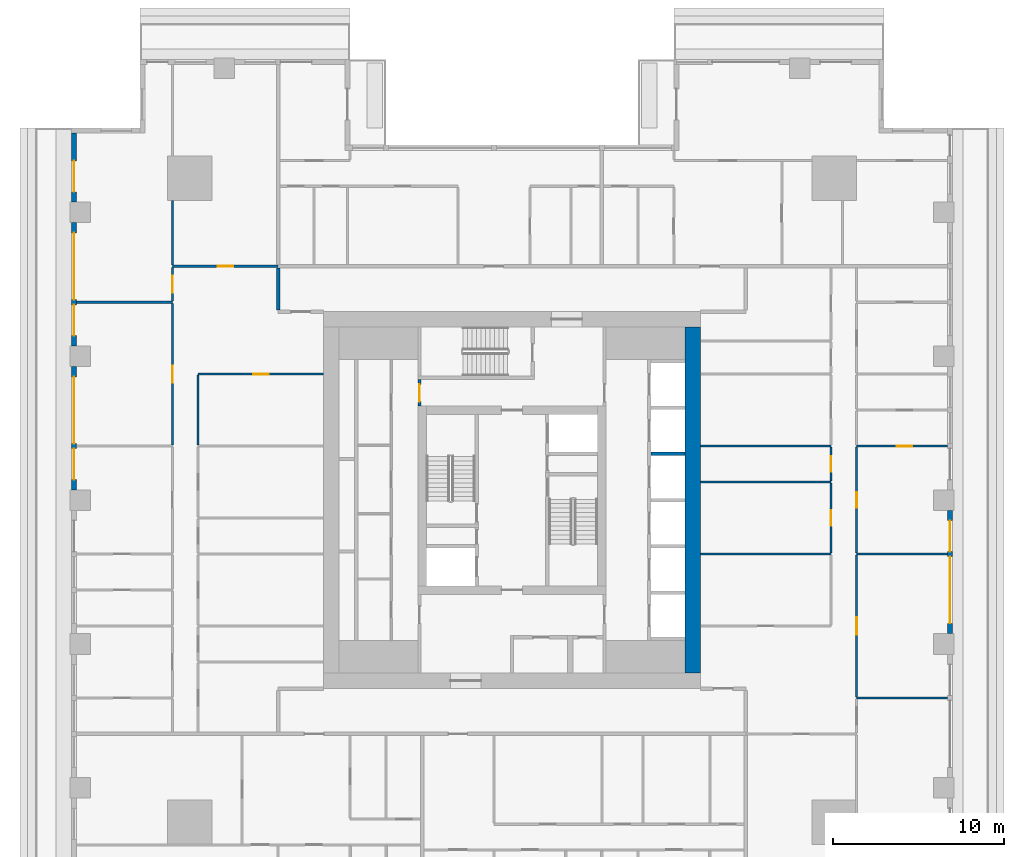
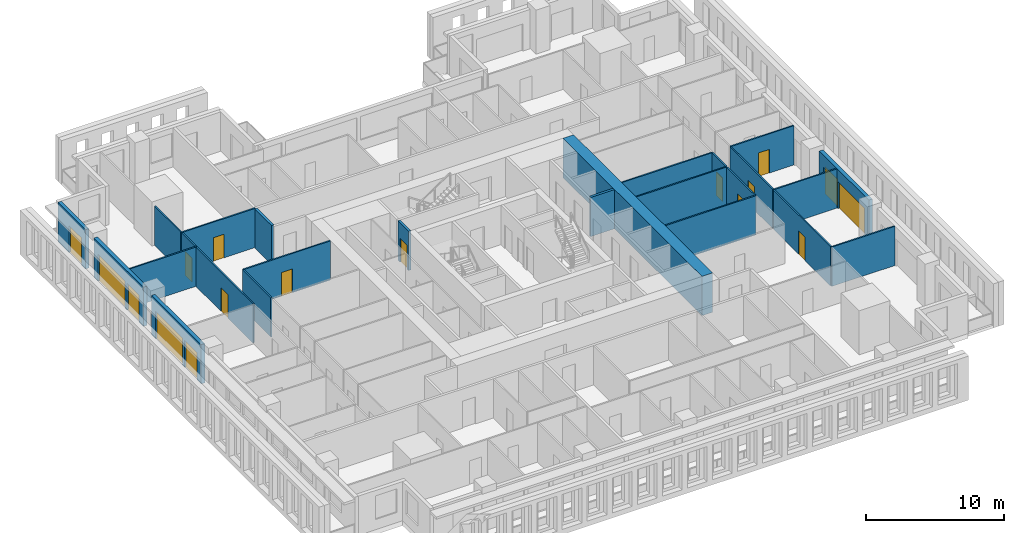
# One storey, part 6 of 16: 25 walls, 17 doors, 17 openings.
"""IFC4 building model written with IfcOpenShell, lengths in metres."""

import ifcopenshell
import ifcopenshell.guid

model = None  # the IFC model being written
_history = None  # IfcOwnerHistory: only IFC2X3 demands one
_inside = {}  # id of a spatial element -> (the spatial element, [elements in it])
_under = {}  # id of a project, library or spatial element -> (it, [spatial elements below it])
_declared = {}  # id of a project -> (the project, [libraries it declares])
_typed = {}  # id of a type object -> (the type object, [elements of that type])
_made_of = {}  # id of a material, layer set ... -> (it, [elements and type objects made of it])


def new_model(schema):
    """Start an empty IFC model of exactly this schema.

    Asked for "IFC4X3", IfcOpenShell would pick the latest addendum, in which some entities
    have other attributes; the version numbers below select the first issue.
    IFC2X3 requires an IfcOwnerHistory on every rooted entity: one is made here for all.
    """
    global model, _history
    if schema == "IFC4X3":
        model = ifcopenshell.file(schema_version=(4, 3, 0, 0))
    else:
        model = ifcopenshell.file(schema=schema)
    _inside.clear()
    _under.clear()
    _declared.clear()
    _typed.clear()
    _made_of.clear()
    _history = None
    if model.schema == "IFC2X3":
        org = make("IfcOrganization", Name="unknown")
        user = make(
            "IfcPersonAndOrganization",
            ThePerson=make("IfcPerson", FamilyName="unknown"),
            TheOrganization=org,
        )
        app = make(
            "IfcApplication",
            ApplicationDeveloper=org,
            Version="unknown",
            ApplicationFullName="unknown",
            ApplicationIdentifier="unknown",
        )
        _history = make(
            "IfcOwnerHistory",
            OwningUser=user,
            OwningApplication=app,
            ChangeAction="ADDED",
            CreationDate=0,
        )
    return model


def make(cls, **values):
    """One entity of the class cls with the attributes given. An attribute that is None is left unset."""
    return model.create_entity(
        cls, **{name: value for name, value in values.items() if value is not None}
    )


def rooted(cls, **values):
    """An entity with a GlobalId (a new one), such as an element, a storey or a relation."""
    return make(cls, GlobalId=ifcopenshell.guid.new(), OwnerHistory=_history, **values)


def si_unit(unit_type, name, prefix=None):
    """IfcSIUnit, for example si_unit("LENGTHUNIT", "METRE", prefix="MILLI")."""
    return make("IfcSIUnit", UnitType=unit_type, Prefix=prefix, Name=name)


def assignment(units):
    """IfcUnitAssignment: the units of a project."""
    return None if units is None else make("IfcUnitAssignment", Units=units)


def point(xyz):
    """IfcCartesianPoint."""
    return None if xyz is None else make("IfcCartesianPoint", Coordinates=xyz)


def direction(xyz):
    """IfcDirection."""
    return None if xyz is None else make("IfcDirection", DirectionRatios=xyz)


def frame(location, z_axis=None, x_axis=None):
    """IfcAxis2Placement3D, a coordinate frame: its origin and axes. An axis left out is left unset."""
    return make(
        "IfcAxis2Placement3D",
        Location=point(location),
        Axis=direction(z_axis),
        RefDirection=direction(x_axis),
    )


def frame_2d(location, x_axis=None):
    """IfcAxis2Placement2D, a coordinate frame in the plane: its origin and x axis."""
    return make(
        "IfcAxis2Placement2D", Location=point(location), RefDirection=direction(x_axis)
    )


def origin():
    """The frame at (0, 0, 0) with its axes left unset."""
    return frame((0.0, 0.0, 0.0))


def place(relative_to, where):
    """IfcLocalPlacement: puts the frame where relative to a parent placement (None: the world)."""
    return make(
        "IfcLocalPlacement", PlacementRelTo=relative_to, RelativePlacement=where
    )


def context(
    kind, dimensions, precision=None, world=None, true_north=None, identifier=None
):
    """IfcGeometricRepresentationContext, for example the 3D "Model" context."""
    return make(
        "IfcGeometricRepresentationContext",
        ContextIdentifier=identifier,
        ContextType=kind,
        CoordinateSpaceDimension=dimensions,
        Precision=precision,
        WorldCoordinateSystem=world,
        TrueNorth=true_north,
    )


def subcontext(parent, identifier, kind, view, scale=None):
    """IfcGeometricRepresentationSubContext, for example "Body" below "Model"."""
    return make(
        "IfcGeometricRepresentationSubContext",
        ContextIdentifier=identifier,
        ContextType=kind,
        ParentContext=parent,
        TargetScale=scale,
        TargetView=view,
    )


def project(units=None, contexts=None):
    """IfcProject with its units and contexts."""
    return rooted(
        "IfcProject",
        Name="project",
        RepresentationContexts=contexts,
        UnitsInContext=assignment(units),
    )


def spatial(cls, under=None, at=None, **own):
    """A site, building, storey or space (cls), placed at a placement, below another one or the project."""
    s = rooted(cls, ObjectPlacement=at, **own)
    if under is not None:
        _under.setdefault(under.id(), (under, []))[1].append(s)
    return s


def profile(cls, at=None, kind="AREA", **sizes):
    """A parametric profile (cls). Its sizes go by their IFC names, for example OverallWidth=200.0."""
    return make(cls, ProfileType=kind, Position=at, **sizes)


def rectangle(**sizes):
    """IfcRectangleProfileDef."""
    return profile("IfcRectangleProfileDef", **sizes)


def extrude(swept, where, along, depth):
    """IfcExtrudedAreaSolid: the profile swept, set in the frame where, extruded along a direction by depth."""
    return make(
        "IfcExtrudedAreaSolid",
        SweptArea=swept,
        Position=where,
        ExtrudedDirection=direction(along),
        Depth=depth,
    )


def shape(context_of_items, identifier, shape_type, items):
    """IfcShapeRepresentation: the items that make up one representation, for example the "Body"."""
    return make(
        "IfcShapeRepresentation",
        ContextOfItems=context_of_items,
        RepresentationIdentifier=identifier,
        RepresentationType=shape_type,
        Items=items,
    )


def material(Name=None, Category=None):
    """IfcMaterial."""
    return make("IfcMaterial", Name=Name, Category=Category)


def layer(
    of_material, thickness, ventilated=None, Name=None, Category=None, Priority=None
):
    """IfcMaterialLayer: one layer of a wall or slab, of a material (None: an air gap)."""
    return make(
        "IfcMaterialLayer",
        Material=of_material,
        LayerThickness=thickness,
        IsVentilated=ventilated,
        Name=Name,
        Category=Category,
        Priority=Priority,
    )


def layer_set(layers, Name=None):
    """IfcMaterialLayerSet."""
    return make("IfcMaterialLayerSet", MaterialLayers=layers, LayerSetName=Name)


def made_of(thing, what):
    """Note that an element or type object is made of a material, layer set ...; save() writes the relation."""
    if what is not None:
        _made_of.setdefault(what.id(), (what, []))[1].append(thing)
    return thing


def type_object(cls, material=None, **own):
    """A type object (cls), such as IfcWallType, which elements share."""
    return made_of(rooted(cls, **own), material)


def element(
    cls,
    number,
    at=None,
    inside=None,
    cuts=None,
    type_object=None,
    material=None,
    context=None,
    identifier="Body",
    shape_type=None,
    held_by="IfcProductDefinitionShape",
    body=None,
    shapes=None,
    **own,
):
    """One element of the class cls, such as IfcWall. Its Tag is "e" and its number.

    at: its placement. inside: the storey or other place that contains it. cuts: it is an
    opening in that element (IfcRelVoidsElement). A single representation is given by context,
    identifier, shape_type and body (its items); several are given by shapes. held_by: the class
    of the entity that holds the representations. save() writes the other relations.
    """
    e = rooted(cls, Tag="e%d" % number, ObjectPlacement=at, **own)
    if body is not None:
        shapes = [shape(context, identifier, shape_type, body)]
    if shapes is not None:
        e.Representation = make(held_by, Representations=shapes)
    if inside is not None:
        _inside.setdefault(inside.id(), (inside, []))[1].append(e)
    if cuts is not None:
        rooted(
            "IfcRelVoidsElement", RelatingBuildingElement=cuts, RelatedOpeningElement=e
        )
    if type_object is not None:
        _typed.setdefault(type_object.id(), (type_object, []))[1].append(e)
    return made_of(e, material)


def fill(opening, filler):
    """IfcRelFillsElement: the door or window that sits in an opening."""
    return rooted(
        "IfcRelFillsElement",
        RelatingOpeningElement=opening,
        RelatedBuildingElement=filler,
    )


def aggregate(whole, parts):
    """IfcRelAggregates: a whole, such as a stair, and the parts it consists of."""
    return rooted("IfcRelAggregates", RelatingObject=whole, RelatedObjects=parts)


def save(model, path):
    """Write the relations noted so far, then the file.

    IfcRelAggregates (storeys below a building ...), IfcRelContainedInSpatialStructure (elements
    in a storey), IfcRelDefinesByType, IfcRelAssociatesMaterial and IfcRelDeclares: one each for
    every whole, place, type object, material and project.
    """
    for whole, parts in _under.values():
        aggregate(whole, parts)
    for where, things in _inside.values():
        rooted(
            "IfcRelContainedInSpatialStructure",
            RelatedElements=things,
            RelatingStructure=where,
        )
    for kind, things in _typed.values():
        rooted("IfcRelDefinesByType", RelatedObjects=things, RelatingType=kind)
    for what, things in _made_of.values():
        rooted("IfcRelAssociatesMaterial", RelatedObjects=things, RelatingMaterial=what)
    for by, libraries in _declared.values():
        rooted("IfcRelDeclares", RelatingContext=by, RelatedDefinitions=libraries)
    model.write(path)


model = new_model("IFC4")

# Units and contexts
model_context = context("Model", 3, precision=1e-05, world=origin(), true_north=direction((0.0, 1.0)))
body_context = subcontext(model_context, "Body", "Model", "MODEL_VIEW")
ifc_project = project(units=[si_unit("LENGTHUNIT", "METRE"), si_unit("AREAUNIT", "SQUARE_METRE"), si_unit("VOLUMEUNIT", "CUBIC_METRE"), si_unit("PLANEANGLEUNIT", "RADIAN"), si_unit("MASSUNIT", "GRAM", prefix="KILO")], contexts=[model_context])

# Site, building, storey
site_placement = place(None, origin())
site = spatial("IfcSite", under=ifc_project, at=site_placement, CompositionType="ELEMENT")
building_placement = place(site_placement, origin())
building = spatial("IfcBuilding", under=site, at=building_placement, Name="Khepri Terraces", CompositionType="ELEMENT")
storey_placement = place(building_placement, frame((0.0, 0.0, 157.199951171875)))
storey = spatial("IfcBuildingStorey", under=building, at=storey_placement, Name="L37", CompositionType="ELEMENT", Elevation=157.199951171875)

# Walls
ifc_material_1 = material(Name="Concrete C60/75", Category="concrete")
ifc_layer_1 = layer(ifc_material_1, 0.199951171875, Name="Concrete C60/75", Category="concrete")
ifc_layer_set_1 = layer_set([ifc_layer_1], Name="Concrete C60/75")
wall_type_1 = type_object("IfcWallType", Name="Core wall 200 C60/75", PredefinedType="SHEAR", material=ifc_layer_set_1)
wall_1_placement = place(storey_placement, frame((8.10009765625, 2.699951171875, 0.0), z_axis=(0.0, 0.0, 1.0), x_axis=(1.0, 0.0, 0.0)))
element("IfcWall", 1, at=wall_1_placement, inside=storey, type_object=wall_type_1, Name="Core wall SH13 L37", PredefinedType="SHEAR", context=body_context, shape_type="SweptSolid", body=[
    extrude(rectangle(XDim=2.0, YDim=0.199951171875, at=frame_2d((1.0, 0.0))), origin(), (0.0, 0.0, 1.0), 3.47998046875),
])
ifc_layer_2 = layer(ifc_material_1, 0.89990234375, Name="Concrete C60/75", Category="concrete")
ifc_layer_set_2 = layer_set([ifc_layer_2], Name="Concrete C60/75")
wall_type_2 = type_object("IfcWallType", Name="Core wall 900 C60/75", PredefinedType="SHEAR", material=ifc_layer_set_2)
wall_2_placement = place(storey_placement, frame((10.550048828125, -10.10009765625, 0.0), z_axis=(0.0, 0.0, 1.0), x_axis=(0.0, 1.0, 0.0)))
element("IfcWall", 2, at=wall_2_placement, inside=storey, type_object=wall_type_2, Name="Core wall OW-E L37", PredefinedType="SHEAR", context=body_context, shape_type="SweptSolid", body=[
    extrude(rectangle(XDim=20.2001953125, YDim=0.89990234375, at=frame_2d((10.10009765625, 0.0))), origin(), (0.0, 0.0, 1.0), 3.47998046875),
])

# Wall, opening, door
ifc_material_2 = material(Name="Fire-rated gypsum board partition")
ifc_layer_3 = layer(ifc_material_2, 0.199951171875, Name="Fire-rated gypsum board partition")
ifc_layer_set_3 = layer_set([ifc_layer_3], Name="Fire-rated gypsum board partition")
wall_type_3 = type_object("IfcWallType", Name="WL-CORE-PART-200", PredefinedType="PARTITIONING", material=ifc_layer_set_3)
wall_3_placement = place(storey_placement, frame((-5.39990234375, 5.5, 0.0), z_axis=(0.0, 0.0, 1.0), x_axis=(0.0, 1.0, 0.0)))
wall_3 = element("IfcWall", 3, at=wall_3_placement, inside=storey, type_object=wall_type_3, Name="Core partition PT11 L37", PredefinedType="PARTITIONING", context=body_context, shape_type="SweptSolid", body=[
    extrude(rectangle(XDim=1.550048828125, YDim=0.199951171875, at=frame_2d((0.77490234375, 0.0))), origin(), (0.0, 0.0, 1.0), 3.47998046875),
])
opening_1_placement = place(wall_3_placement, frame((0.25, 0.0, 0.0)))
opening_1 = element("IfcOpeningElement", 4, at=opening_1_placement, cuts=wall_3, Name="Opening L37-C16", PredefinedType="OPENING", context=body_context, shape_type="SweptSolid", body=[
    extrude(rectangle(XDim=1.0, YDim=2.10009765625, at=frame_2d((0.5, 1.050048828125))), frame((0.0, 0.10986328125, 0.0), z_axis=(0.0, -1.0, 0.0), x_axis=(1.0, 0.0, 0.0)), (0.0, 0.0, 1.0), 0.219970703125),
])
ifc_material_3 = material(Name="Painted steel", Category="steel")
door_type_1 = type_object("IfcDoorType", Name="DR-CORE-LOBBY-1000", OperationType="NOTDEFINED", PredefinedType="DOOR", material=ifc_material_3)
door_1_placement = place(opening_1_placement, frame((1.0, 0.0, 0.0), z_axis=(0.0, 0.0, 1.0), x_axis=(-1.0, 0.0, 0.0)))
door_1 = element("IfcDoor", 5, at=door_1_placement, inside=storey, type_object=door_type_1, Name="Lobby door L37-C16", OperationType="SINGLE_SWING_RIGHT", OverallHeight=2.10009765625, OverallWidth=1.0, PredefinedType="DOOR", context=body_context, shape_type="SweptSolid", body=[
    extrude(rectangle(XDim=1.0, YDim=2.10009765625, at=frame_2d((0.5, 1.050048828125))), frame((0.0, 0.02490234375, 0.0), z_axis=(0.0, -1.0, 0.0), x_axis=(1.0, 0.0, 0.0)), (0.0, 0.0, 1.0), 0.050048828125),
])
fill(opening_1, door_1)

# Wall
ifc_material_4 = material(Name="Fire-rated gypsum plasterboard partition, mineral wool")
ifc_layer_4 = layer(ifc_material_4, 0.199951171875, Name="Fire-rated gypsum plasterboard partition, mineral wool")
ifc_layer_set_4 = layer_set([ifc_layer_4], Name="Fire-rated gypsum plasterboard partition, mineral wool")
wall_type_4 = type_object("IfcWallType", Name="WL-CORR-200", PredefinedType="PARTITIONING", material=ifc_layer_set_4)
wall_4_placement = place(storey_placement, frame((-13.64990234375, 11.10009765625, 0.0), z_axis=(0.0, 0.0, 1.0), x_axis=(0.0, 1.0, 0.0)))
element("IfcWall", 6, at=wall_4_placement, inside=storey, type_object=wall_type_4, Name="Partition P-077 L37", PredefinedType="PARTITIONING", context=body_context, shape_type="SweptSolid", body=[
    extrude(rectangle(XDim=2.449951171875, YDim=0.199951171875, at=frame_2d((1.22509765625, 0.0))), origin(), (0.0, 0.0, 1.0), 3.47998046875),
])

# Wall, openings, doors
ifc_material_5 = material(Name="Precast concrete C50/60 warm stone", Category="masonry")
ifc_layer_5 = layer(ifc_material_5, 0.300048828125, Name="Precast concrete C50/60 warm stone", Category="masonry")
ifc_layer_set_5 = layer_set([ifc_layer_5], Name="Precast concrete C50/60 warm stone")
wall_type_5 = type_object("IfcWallType", Name="WL-EXT-PRECAST-300", PredefinedType="STANDARD", material=ifc_layer_set_5)
wall_5_placement = place(storey_placement, frame((25.570068359375, -7.800048828125, 0.0), z_axis=(0.0, 0.0, 1.0), x_axis=(0.0, 1.0, 0.0)))
wall_5 = element("IfcWall", 7, at=wall_5_placement, inside=storey, type_object=wall_type_5, Name="External wall L37 E", PredefinedType="STANDARD", context=body_context, shape_type="SweptSolid", body=[
    extrude(rectangle(XDim=7.199951171875, YDim=0.300048828125, at=frame_2d((3.60009765625, 0.0))), origin(), (0.0, 0.0, 1.0), 3.47998046875),
])
opening_2_placement = place(wall_5_placement, frame((0.60009765625, 0.0, 0.0)))
opening_2 = element("IfcOpeningElement", 8, at=opening_2_placement, cuts=wall_5, Name="Opening ED-L37-04", PredefinedType="OPENING", context=body_context, shape_type="SweptSolid", body=[
    extrude(rectangle(XDim=3.89990234375, YDim=2.39990234375, at=frame_2d((1.949951171875, 1.199951171875))), frame((0.0, 0.16015625, 0.0), z_axis=(0.0, -1.0, 0.0), x_axis=(1.0, 0.0, 0.0)), (0.0, 0.0, 1.0), 0.320068359375),
])
opening_3_placement = place(wall_5_placement, frame((4.800048828125, 0.0, 0.0)))
opening_3 = element("IfcOpeningElement", 9, at=opening_3_placement, cuts=wall_5, Name="Opening ED-L37-05", PredefinedType="OPENING", context=body_context, shape_type="SweptSolid", body=[
    extrude(rectangle(XDim=1.800048828125, YDim=2.39990234375, at=frame_2d((0.89990234375, 1.199951171875))), frame((0.0, 0.16015625, 0.0), z_axis=(0.0, -1.0, 0.0), x_axis=(1.0, 0.0, 0.0)), (0.0, 0.0, 1.0), 0.320068359375),
])
ifc_material_6 = material(Name="Anodised aluminium bronze glazed door", Category="aluminium")
door_type_2 = type_object("IfcDoorType", Name="DR-BAL-SLIDE-1800x2400", OperationType="NOTDEFINED", PredefinedType="DOOR", material=ifc_material_6)
door_2_placement = place(opening_3_placement, origin())
door_2 = element("IfcDoor", 10, at=door_2_placement, inside=storey, type_object=door_type_2, Name="Balcony door L37 E", OperationType="SLIDING_TO_RIGHT", OverallHeight=2.39990234375, OverallWidth=1.800048828125, PredefinedType="DOOR", context=body_context, shape_type="SweptSolid", body=[
    extrude(rectangle(XDim=1.800048828125, YDim=2.39990234375, at=frame_2d((0.89990234375, 1.199951171875))), frame((0.0, 0.02490234375, 0.0), z_axis=(0.0, -1.0, 0.0), x_axis=(1.0, 0.0, 0.0)), (0.0, 0.0, 1.0), 0.050048828125),
])
fill(opening_3, door_2)
door_type_3 = type_object("IfcDoorType", Name="DR-BAL-SLIDE-3900x2400", OperationType="NOTDEFINED", PredefinedType="DOOR", material=ifc_material_6)
door_3_placement = place(opening_2_placement, origin())
door_3 = element("IfcDoor", 11, at=door_3_placement, inside=storey, type_object=door_type_3, Name="Balcony door L37 E", OperationType="SLIDING_TO_LEFT", OverallHeight=2.39990234375, OverallWidth=3.89990234375, PredefinedType="DOOR", context=body_context, shape_type="SweptSolid", body=[
    extrude(rectangle(XDim=3.89990234375, YDim=2.39990234375, at=frame_2d((1.949951171875, 1.199951171875))), frame((0.0, 0.02490234375, 0.0), z_axis=(0.0, -1.0, 0.0), x_axis=(1.0, 0.0, 0.0)), (0.0, 0.0, 1.0), 0.050048828125),
])
fill(opening_2, door_3)

# Wall, opening, door
wall_6_placement = place(storey_placement, frame((-25.570068359375, 21.419921875, 0.0), z_axis=(0.0, 0.0, 1.0), x_axis=(0.0, -1.0, 0.0)))
wall_6 = element("IfcWall", 12, at=wall_6_placement, inside=storey, type_object=wall_type_5, Name="External wall L37 W", PredefinedType="STANDARD", context=body_context, shape_type="SweptSolid", body=[
    extrude(rectangle(XDim=4.02001953125, YDim=0.300048828125, at=frame_2d((2.010009765625, 0.0))), origin(), (0.0, 0.0, 1.0), 3.47998046875),
])
opening_4_placement = place(wall_6_placement, frame((1.6201171875, 0.0, 0.0)))
opening_4 = element("IfcOpeningElement", 13, at=opening_4_placement, cuts=wall_6, Name="Opening ED-L37-14", PredefinedType="OPENING", context=body_context, shape_type="SweptSolid", body=[
    extrude(rectangle(XDim=1.800048828125, YDim=2.39990234375, at=frame_2d((0.89990234375, 1.199951171875))), frame((0.0, 0.16015625, 0.0), z_axis=(0.0, -1.0, 0.0), x_axis=(1.0, 0.0, 0.0)), (0.0, 0.0, 1.0), 0.320068359375),
])
door_4_placement = place(opening_4_placement, origin())
door_4 = element("IfcDoor", 14, at=door_4_placement, inside=storey, type_object=door_type_2, Name="Balcony door L37 W", OperationType="SLIDING_TO_RIGHT", OverallHeight=2.39990234375, OverallWidth=1.800048828125, PredefinedType="DOOR", context=body_context, shape_type="SweptSolid", body=[
    extrude(rectangle(XDim=1.800048828125, YDim=2.39990234375, at=frame_2d((0.89990234375, 1.199951171875))), frame((0.0, 0.02490234375, 0.0), z_axis=(0.0, -1.0, 0.0), x_axis=(1.0, 0.0, 0.0)), (0.0, 0.0, 1.0), 0.050048828125),
])
fill(opening_4, door_4)

# Wall, openings, doors
wall_7_placement = place(storey_placement, frame((-25.570068359375, 16.199951171875, 0.0), z_axis=(0.0, 0.0, 1.0), x_axis=(0.0, -1.0, 0.0)))
wall_7 = element("IfcWall", 15, at=wall_7_placement, inside=storey, type_object=wall_type_5, Name="External wall L37 W", PredefinedType="STANDARD", context=body_context, shape_type="SweptSolid", body=[
    extrude(rectangle(XDim=7.199951171875, YDim=0.300048828125, at=frame_2d((3.60009765625, 0.0))), origin(), (0.0, 0.0, 1.0), 3.47998046875),
])
opening_5_placement = place(wall_7_placement, frame((0.60009765625, 0.0, 0.0)))
opening_5 = element("IfcOpeningElement", 16, at=opening_5_placement, cuts=wall_7, Name="Opening ED-L37-15", PredefinedType="OPENING", context=body_context, shape_type="SweptSolid", body=[
    extrude(rectangle(XDim=3.89990234375, YDim=2.39990234375, at=frame_2d((1.949951171875, 1.199951171875))), frame((0.0, 0.16015625, 0.0), z_axis=(0.0, -1.0, 0.0), x_axis=(1.0, 0.0, 0.0)), (0.0, 0.0, 1.0), 0.320068359375),
])
opening_6_placement = place(wall_7_placement, frame((4.800048828125, 0.0, 0.0)))
opening_6 = element("IfcOpeningElement", 17, at=opening_6_placement, cuts=wall_7, Name="Opening ED-L37-16", PredefinedType="OPENING", context=body_context, shape_type="SweptSolid", body=[
    extrude(rectangle(XDim=1.800048828125, YDim=2.39990234375, at=frame_2d((0.89990234375, 1.199951171875))), frame((0.0, 0.16015625, 0.0), z_axis=(0.0, -1.0, 0.0), x_axis=(1.0, 0.0, 0.0)), (0.0, 0.0, 1.0), 0.320068359375),
])
door_5_placement = place(opening_6_placement, origin())
door_5 = element("IfcDoor", 18, at=door_5_placement, inside=storey, type_object=door_type_2, Name="Balcony door L37 W", OperationType="SLIDING_TO_RIGHT", OverallHeight=2.39990234375, OverallWidth=1.800048828125, PredefinedType="DOOR", context=body_context, shape_type="SweptSolid", body=[
    extrude(rectangle(XDim=1.800048828125, YDim=2.39990234375, at=frame_2d((0.89990234375, 1.199951171875))), frame((0.0, 0.02490234375, 0.0), z_axis=(0.0, -1.0, 0.0), x_axis=(1.0, 0.0, 0.0)), (0.0, 0.0, 1.0), 0.050048828125),
])
fill(opening_6, door_5)
door_6_placement = place(opening_5_placement, origin())
door_6 = element("IfcDoor", 19, at=door_6_placement, inside=storey, type_object=door_type_3, Name="Balcony door L37 W", OperationType="SLIDING_TO_LEFT", OverallHeight=2.39990234375, OverallWidth=3.89990234375, PredefinedType="DOOR", context=body_context, shape_type="SweptSolid", body=[
    extrude(rectangle(XDim=3.89990234375, YDim=2.39990234375, at=frame_2d((1.949951171875, 1.199951171875))), frame((0.0, 0.02490234375, 0.0), z_axis=(0.0, -1.0, 0.0), x_axis=(1.0, 0.0, 0.0)), (0.0, 0.0, 1.0), 0.050048828125),
])
fill(opening_5, door_6)

wall_8_placement = place(storey_placement, frame((-25.570068359375, 7.800048828125, 0.0), z_axis=(0.0, 0.0, 1.0), x_axis=(0.0, -1.0, 0.0)))
wall_8 = element("IfcWall", 20, at=wall_8_placement, inside=storey, type_object=wall_type_5, Name="External wall L37 W", PredefinedType="STANDARD", context=body_context, shape_type="SweptSolid", body=[
    extrude(rectangle(XDim=7.199951171875, YDim=0.300048828125, at=frame_2d((3.60009765625, 0.0))), origin(), (0.0, 0.0, 1.0), 3.47998046875),
])
opening_7_placement = place(wall_8_placement, frame((0.60009765625, 0.0, 0.0)))
opening_7 = element("IfcOpeningElement", 21, at=opening_7_placement, cuts=wall_8, Name="Opening ED-L37-17", PredefinedType="OPENING", context=body_context, shape_type="SweptSolid", body=[
    extrude(rectangle(XDim=3.89990234375, YDim=2.39990234375, at=frame_2d((1.949951171875, 1.199951171875))), frame((0.0, 0.16015625, 0.0), z_axis=(0.0, -1.0, 0.0), x_axis=(1.0, 0.0, 0.0)), (0.0, 0.0, 1.0), 0.320068359375),
])
opening_8_placement = place(wall_8_placement, frame((4.800048828125, 0.0, 0.0)))
opening_8 = element("IfcOpeningElement", 22, at=opening_8_placement, cuts=wall_8, Name="Opening ED-L37-18", PredefinedType="OPENING", context=body_context, shape_type="SweptSolid", body=[
    extrude(rectangle(XDim=1.800048828125, YDim=2.39990234375, at=frame_2d((0.89990234375, 1.199951171875))), frame((0.0, 0.16015625, 0.0), z_axis=(0.0, -1.0, 0.0), x_axis=(1.0, 0.0, 0.0)), (0.0, 0.0, 1.0), 0.320068359375),
])
door_7_placement = place(opening_8_placement, origin())
door_7 = element("IfcDoor", 23, at=door_7_placement, inside=storey, type_object=door_type_2, Name="Balcony door L37 W", OperationType="SLIDING_TO_RIGHT", OverallHeight=2.39990234375, OverallWidth=1.800048828125, PredefinedType="DOOR", context=body_context, shape_type="SweptSolid", body=[
    extrude(rectangle(XDim=1.800048828125, YDim=2.39990234375, at=frame_2d((0.89990234375, 1.199951171875))), frame((0.0, 0.02490234375, 0.0), z_axis=(0.0, -1.0, 0.0), x_axis=(1.0, 0.0, 0.0)), (0.0, 0.0, 1.0), 0.050048828125),
])
fill(opening_8, door_7)
door_8_placement = place(opening_7_placement, origin())
door_8 = element("IfcDoor", 24, at=door_8_placement, inside=storey, type_object=door_type_3, Name="Balcony door L37 W", OperationType="SLIDING_TO_LEFT", OverallHeight=2.39990234375, OverallWidth=3.89990234375, PredefinedType="DOOR", context=body_context, shape_type="SweptSolid", body=[
    extrude(rectangle(XDim=3.89990234375, YDim=2.39990234375, at=frame_2d((1.949951171875, 1.199951171875))), frame((0.0, 0.02490234375, 0.0), z_axis=(0.0, -1.0, 0.0), x_axis=(1.0, 0.0, 0.0)), (0.0, 0.0, 1.0), 0.050048828125),
])
fill(opening_7, door_8)

# Wall
ifc_material_7 = material(Name="Gypsum plasterboard partition")
ifc_layer_6 = layer(ifc_material_7, 0.1201171875, Name="Gypsum plasterboard partition")
ifc_layer_set_6 = layer_set([ifc_layer_6], Name="Gypsum plasterboard partition")
wall_type_6 = type_object("IfcWallType", Name="WL-PART-120", PredefinedType="PARTITIONING", material=ifc_layer_set_6)
wall_9_placement = place(storey_placement, frame((20.1201171875, -11.550048828125, 0.0), z_axis=(0.0, 0.0, 1.0), x_axis=(1.0, 0.0, 0.0)))
element("IfcWall", 25, at=wall_9_placement, inside=storey, type_object=wall_type_6, Name="Partition P-031 L37", PredefinedType="PARTITIONING", context=body_context, shape_type="SweptSolid", body=[
    extrude(rectangle(XDim=5.2998046875, YDim=0.1201171875, at=frame_2d((2.64990234375, 0.0))), origin(), (0.0, 0.0, 1.0), 3.47998046875),
])

# Wall, opening, door
wall_10_placement = place(storey_placement, frame((20.1201171875, -11.489990234375, 0.0), z_axis=(0.0, 0.0, 1.0), x_axis=(0.0, 1.0, 0.0)))
wall_10 = element("IfcWall", 26, at=wall_10_placement, inside=storey, type_object=wall_type_6, Name="Partition P-033 L37", PredefinedType="PARTITIONING", context=body_context, shape_type="SweptSolid", body=[
    extrude(rectangle(XDim=8.280029296875, YDim=0.1201171875, at=frame_2d((4.14013671875, 0.0))), origin(), (0.0, 0.0, 1.0), 3.47998046875),
])
opening_9_placement = place(wall_10_placement, frame((3.639892578125, 0.0, 0.0)))
opening_9 = element("IfcOpeningElement", 27, at=opening_9_placement, cuts=wall_10, Name="Opening D2", PredefinedType="OPENING", context=body_context, shape_type="SweptSolid", body=[
    extrude(rectangle(XDim=1.0, YDim=2.10009765625, at=frame_2d((0.5, 1.050048828125))), frame((0.0, 0.070068359375, 0.0), z_axis=(0.0, -1.0, 0.0), x_axis=(1.0, 0.0, 0.0)), (0.0, 0.0, 1.0), 0.14013671875),
])
ifc_material_8 = material(Name="Timber door leaf, living room door", Category="wood")
door_type_4 = type_object("IfcDoorType", Name="DR-INT-1000", OperationType="NOTDEFINED", PredefinedType="DOOR", material=ifc_material_8)
door_9_placement = place(opening_9_placement, frame((1.0, 0.0, 0.0), z_axis=(0.0, 0.0, 1.0), x_axis=(-1.0, 0.0, 0.0)))
door_9 = element("IfcDoor", 28, at=door_9_placement, inside=storey, type_object=door_type_4, Name="Door Living Room", OperationType="SINGLE_SWING_RIGHT", OverallHeight=2.10009765625, OverallWidth=1.0, PredefinedType="DOOR", context=body_context, shape_type="SweptSolid", body=[
    extrude(rectangle(XDim=1.0, YDim=2.10009765625, at=frame_2d((0.5, 1.050048828125))), frame((0.0, 0.02490234375, 0.0), z_axis=(0.0, -1.0, 0.0), x_axis=(1.0, 0.0, 0.0)), (0.0, 0.0, 1.0), 0.050048828125),
])
fill(opening_9, door_9)

# Walls
wall_11_placement = place(storey_placement, frame((11.0, -3.14990234375, 0.0), z_axis=(0.0, 0.0, 1.0), x_axis=(1.0, 0.0, 0.0)))
element("IfcWall", 29, at=wall_11_placement, inside=storey, type_object=wall_type_6, Name="Partition P-048 L37", PredefinedType="PARTITIONING", context=body_context, shape_type="SweptSolid", body=[
    extrude(rectangle(XDim=7.6201171875, YDim=0.1201171875, at=frame_2d((3.81005859375, 0.0))), origin(), (0.0, 0.0, 1.0), 3.47998046875),
])
wall_12_placement = place(storey_placement, frame((20.1201171875, -3.14990234375, 0.0), z_axis=(0.0, 0.0, 1.0), x_axis=(1.0, 0.0, 0.0)))
element("IfcWall", 30, at=wall_12_placement, inside=storey, type_object=wall_type_6, Name="Partition P-049 L37", PredefinedType="PARTITIONING", context=body_context, shape_type="SweptSolid", body=[
    extrude(rectangle(XDim=5.2998046875, YDim=0.1201171875, at=frame_2d((2.64990234375, 0.0))), origin(), (0.0, 0.0, 1.0), 3.47998046875),
])

# Wall, opening, door
wall_13_placement = place(storey_placement, frame((18.6201171875, -3.090087890625, 0.0), z_axis=(0.0, 0.0, 1.0), x_axis=(0.0, 1.0, 0.0)))
wall_13 = element("IfcWall", 31, at=wall_13_placement, inside=storey, type_object=wall_type_6, Name="Partition P-052 L37", PredefinedType="PARTITIONING", context=body_context, shape_type="SweptSolid", body=[
    extrude(rectangle(XDim=4.080078125, YDim=0.1201171875, at=frame_2d((2.0400390625, 0.0))), origin(), (0.0, 0.0, 1.0), 3.47998046875),
])
opening_10_placement = place(wall_13_placement, frame((1.590087890625, 0.0, 0.0)))
opening_10 = element("IfcOpeningElement", 32, at=opening_10_placement, cuts=wall_13, Name="Opening D3", PredefinedType="OPENING", context=body_context, shape_type="SweptSolid", body=[
    extrude(rectangle(XDim=0.89990234375, YDim=2.10009765625, at=frame_2d((0.449951171875, 1.050048828125))), frame((0.0, 0.070068359375, 0.0), z_axis=(0.0, -1.0, 0.0), x_axis=(1.0, 0.0, 0.0)), (0.0, 0.0, 1.0), 0.14013671875),
])
ifc_material_9 = material(Name="Timber door leaf", Category="wood")
door_type_5 = type_object("IfcDoorType", Name="DR-INT-900", OperationType="NOTDEFINED", PredefinedType="DOOR", material=ifc_material_9)
door_10_placement = place(opening_10_placement, origin())
door_10 = element("IfcDoor", 33, at=door_10_placement, inside=storey, type_object=door_type_5, Name="Door Utility Room", OperationType="SINGLE_SWING_RIGHT", OverallHeight=2.10009765625, OverallWidth=0.89990234375, PredefinedType="DOOR", context=body_context, shape_type="SweptSolid", body=[
    extrude(rectangle(XDim=0.89990234375, YDim=2.10009765625, at=frame_2d((0.449951171875, 1.050048828125))), frame((0.0, 0.02490234375, 0.0), z_axis=(0.0, -1.0, 0.0), x_axis=(1.0, 0.0, 0.0)), (0.0, 0.0, 1.0), 0.050048828125),
])
fill(opening_10, door_10)

wall_14_placement = place(storey_placement, frame((20.1201171875, -3.090087890625, 0.0), z_axis=(0.0, 0.0, 1.0), x_axis=(0.0, 1.0, 0.0)))
wall_14 = element("IfcWall", 34, at=wall_14_placement, inside=storey, type_object=wall_type_6, Name="Partition P-053 L37", PredefinedType="PARTITIONING", context=body_context, shape_type="SweptSolid", body=[
    extrude(rectangle(XDim=6.18017578125, YDim=0.1201171875, at=frame_2d((3.090087890625, 0.0))), origin(), (0.0, 0.0, 1.0), 3.47998046875),
])
opening_11_placement = place(wall_14_placement, frame((2.639892578125, 0.0, 0.0)))
opening_11 = element("IfcOpeningElement", 35, at=opening_11_placement, cuts=wall_14, Name="Opening D3", PredefinedType="OPENING", context=body_context, shape_type="SweptSolid", body=[
    extrude(rectangle(XDim=0.89990234375, YDim=2.10009765625, at=frame_2d((0.449951171875, 1.050048828125))), frame((0.0, 0.070068359375, 0.0), z_axis=(0.0, -1.0, 0.0), x_axis=(1.0, 0.0, 0.0)), (0.0, 0.0, 1.0), 0.14013671875),
])
door_11_placement = place(opening_11_placement, frame((0.89990234375, 0.0, 0.0), z_axis=(0.0, 0.0, 1.0), x_axis=(-1.0, 0.0, 0.0)))
door_11 = element("IfcDoor", 36, at=door_11_placement, inside=storey, type_object=door_type_5, Name="Door Master Bedroom", OperationType="SINGLE_SWING_LEFT", OverallHeight=2.10009765625, OverallWidth=0.89990234375, PredefinedType="DOOR", context=body_context, shape_type="SweptSolid", body=[
    extrude(rectangle(XDim=0.89990234375, YDim=2.10009765625, at=frame_2d((0.449951171875, 1.050048828125))), frame((0.0, 0.02490234375, 0.0), z_axis=(0.0, -1.0, 0.0), x_axis=(1.0, 0.0, 0.0)), (0.0, 0.0, 1.0), 0.050048828125),
])
fill(opening_11, door_11)

# Wall
wall_15_placement = place(storey_placement, frame((11.0, 1.050048828125, 0.0), z_axis=(0.0, 0.0, 1.0), x_axis=(1.0, 0.0, 0.0)))
element("IfcWall", 37, at=wall_15_placement, inside=storey, type_object=wall_type_6, Name="Partition P-056 L37", PredefinedType="PARTITIONING", context=body_context, shape_type="SweptSolid", body=[
    extrude(rectangle(XDim=7.6201171875, YDim=0.1201171875, at=frame_2d((3.81005859375, 0.0))), origin(), (0.0, 0.0, 1.0), 3.47998046875),
])

# Wall, opening, door
wall_16_placement = place(storey_placement, frame((18.6201171875, 1.110107421875, 0.0), z_axis=(0.0, 0.0, 1.0), x_axis=(0.0, 1.0, 0.0)))
wall_16 = element("IfcWall", 38, at=wall_16_placement, inside=storey, type_object=wall_type_6, Name="Partition P-057 L37", PredefinedType="PARTITIONING", context=body_context, shape_type="SweptSolid", body=[
    extrude(rectangle(XDim=1.97998046875, YDim=0.1201171875, at=frame_2d((0.989990234375, 0.0))), origin(), (0.0, 0.0, 1.0), 3.47998046875),
])
opening_12_placement = place(wall_16_placement, frame((0.5400390625, 0.0, 0.0)))
opening_12 = element("IfcOpeningElement", 39, at=opening_12_placement, cuts=wall_16, Name="Opening D4", PredefinedType="OPENING", context=body_context, shape_type="SweptSolid", body=[
    extrude(rectangle(XDim=0.89990234375, YDim=2.10009765625, at=frame_2d((0.449951171875, 1.050048828125))), frame((0.0, 0.070068359375, 0.0), z_axis=(0.0, -1.0, 0.0), x_axis=(1.0, 0.0, 0.0)), (0.0, 0.0, 1.0), 0.14013671875),
])
ifc_material_10 = material(Name="Timber door leaf, moisture resistant", Category="wood")
door_type_6 = type_object("IfcDoorType", Name="DR-WET-900", OperationType="NOTDEFINED", PredefinedType="DOOR", material=ifc_material_10)
door_12_placement = place(opening_12_placement, origin())
door_12 = element("IfcDoor", 40, at=door_12_placement, inside=storey, type_object=door_type_6, Name="Door Powder Room", OperationType="SINGLE_SWING_RIGHT", OverallHeight=2.10009765625, OverallWidth=0.89990234375, PredefinedType="DOOR", context=body_context, shape_type="SweptSolid", body=[
    extrude(rectangle(XDim=0.89990234375, YDim=2.10009765625, at=frame_2d((0.449951171875, 1.050048828125))), frame((0.0, 0.02490234375, 0.0), z_axis=(0.0, -1.0, 0.0), x_axis=(1.0, 0.0, 0.0)), (0.0, 0.0, 1.0), 0.050048828125),
])
fill(opening_12, door_12)

# Wall
wall_17_placement = place(storey_placement, frame((11.0, 3.14990234375, 0.0), z_axis=(0.0, 0.0, 1.0), x_axis=(1.0, 0.0, 0.0)))
element("IfcWall", 41, at=wall_17_placement, inside=storey, type_object=wall_type_6, Name="Partition P-060 L37", PredefinedType="PARTITIONING", context=body_context, shape_type="SweptSolid", body=[
    extrude(rectangle(XDim=7.6201171875, YDim=0.1201171875, at=frame_2d((3.81005859375, 0.0))), origin(), (0.0, 0.0, 1.0), 3.47998046875),
])

# Wall, opening, door
wall_18_placement = place(storey_placement, frame((20.1201171875, 3.14990234375, 0.0), z_axis=(0.0, 0.0, 1.0), x_axis=(1.0, 0.0, 0.0)))
wall_18 = element("IfcWall", 42, at=wall_18_placement, inside=storey, type_object=wall_type_6, Name="Partition P-061 L37", PredefinedType="PARTITIONING", context=body_context, shape_type="SweptSolid", body=[
    extrude(rectangle(XDim=5.2998046875, YDim=0.1201171875, at=frame_2d((2.64990234375, 0.0))), origin(), (0.0, 0.0, 1.0), 3.47998046875),
])
opening_13_placement = place(wall_18_placement, frame((2.35009765625, 0.0, 0.0)))
opening_13 = element("IfcOpeningElement", 43, at=opening_13_placement, cuts=wall_18, Name="Opening D3", PredefinedType="OPENING", context=body_context, shape_type="SweptSolid", body=[
    extrude(rectangle(XDim=0.89990234375, YDim=2.10009765625, at=frame_2d((0.449951171875, 1.050048828125))), frame((0.0, 0.070068359375, 0.0), z_axis=(0.0, -1.0, 0.0), x_axis=(1.0, 0.0, 0.0)), (0.0, 0.0, 1.0), 0.14013671875),
])
door_13_placement = place(opening_13_placement, origin())
door_13 = element("IfcDoor", 44, at=door_13_placement, inside=storey, type_object=door_type_5, Name="Door Dressing Room", OperationType="SINGLE_SWING_RIGHT", OverallHeight=2.10009765625, OverallWidth=0.89990234375, PredefinedType="DOOR", context=body_context, shape_type="SweptSolid", body=[
    extrude(rectangle(XDim=0.89990234375, YDim=2.10009765625, at=frame_2d((0.449951171875, 1.050048828125))), frame((0.0, 0.02490234375, 0.0), z_axis=(0.0, -1.0, 0.0), x_axis=(1.0, 0.0, 0.0)), (0.0, 0.0, 1.0), 0.050048828125),
])
fill(opening_13, door_13)

wall_19_placement = place(storey_placement, frame((-19.820068359375, 3.2099609375, 0.0), z_axis=(0.0, 0.0, 1.0), x_axis=(0.0, 1.0, 0.0)))
wall_19 = element("IfcWall", 45, at=wall_19_placement, inside=storey, type_object=wall_type_6, Name="Partition P-062 L37", PredefinedType="PARTITIONING", context=body_context, shape_type="SweptSolid", body=[
    extrude(rectangle(XDim=8.280029296875, YDim=0.1201171875, at=frame_2d((4.14013671875, 0.0))), origin(), (0.0, 0.0, 1.0), 3.47998046875),
])
opening_14_placement = place(wall_19_placement, frame((3.639892578125, 0.0, 0.0)))
opening_14 = element("IfcOpeningElement", 46, at=opening_14_placement, cuts=wall_19, Name="Opening D2", PredefinedType="OPENING", context=body_context, shape_type="SweptSolid", body=[
    extrude(rectangle(XDim=1.0, YDim=2.10009765625, at=frame_2d((0.5, 1.050048828125))), frame((0.0, 0.070068359375, 0.0), z_axis=(0.0, -1.0, 0.0), x_axis=(1.0, 0.0, 0.0)), (0.0, 0.0, 1.0), 0.14013671875),
])
door_14_placement = place(opening_14_placement, origin())
door_14 = element("IfcDoor", 47, at=door_14_placement, inside=storey, type_object=door_type_4, Name="Door Living Room", OperationType="SINGLE_SWING_RIGHT", OverallHeight=2.10009765625, OverallWidth=1.0, PredefinedType="DOOR", context=body_context, shape_type="SweptSolid", body=[
    extrude(rectangle(XDim=1.0, YDim=2.10009765625, at=frame_2d((0.5, 1.050048828125))), frame((0.0, 0.02490234375, 0.0), z_axis=(0.0, -1.0, 0.0), x_axis=(1.0, 0.0, 0.0)), (0.0, 0.0, 1.0), 0.050048828125),
])
fill(opening_14, door_14)

# Wall
wall_20_placement = place(storey_placement, frame((-18.320068359375, 3.2099609375, 0.0), z_axis=(0.0, 0.0, 1.0), x_axis=(0.0, 1.0, 0.0)))
element("IfcWall", 48, at=wall_20_placement, inside=storey, type_object=wall_type_6, Name="Partition P-063 L37", PredefinedType="PARTITIONING", context=body_context, shape_type="SweptSolid", body=[
    extrude(rectangle(XDim=4.080078125, YDim=0.1201171875, at=frame_2d((2.0400390625, 0.0))), origin(), (0.0, 0.0, 1.0), 3.47998046875),
])

# Wall, opening, door
wall_21_placement = place(storey_placement, frame((-18.320068359375, 7.35009765625, 0.0), z_axis=(0.0, 0.0, 1.0), x_axis=(1.0, 0.0, 0.0)))
wall_21 = element("IfcWall", 49, at=wall_21_placement, inside=storey, type_object=wall_type_6, Name="Partition P-068 L37", PredefinedType="PARTITIONING", context=body_context, shape_type="SweptSolid", body=[
    extrude(rectangle(XDim=7.320068359375, YDim=0.1201171875, at=frame_2d((3.66015625, 0.0))), origin(), (0.0, 0.0, 1.0), 3.47998046875),
])
opening_15_placement = place(wall_21_placement, frame((3.2099609375, 0.0, 0.0)))
opening_15 = element("IfcOpeningElement", 50, at=opening_15_placement, cuts=wall_21, Name="Opening D3", PredefinedType="OPENING", context=body_context, shape_type="SweptSolid", body=[
    extrude(rectangle(XDim=0.89990234375, YDim=2.10009765625, at=frame_2d((0.449951171875, 1.050048828125))), frame((0.0, 0.070068359375, 0.0), z_axis=(0.0, -1.0, 0.0), x_axis=(1.0, 0.0, 0.0)), (0.0, 0.0, 1.0), 0.14013671875),
])
door_15_placement = place(opening_15_placement, frame((0.89990234375, 0.0, 0.0), z_axis=(0.0, 0.0, 1.0), x_axis=(-1.0, 0.0, 0.0)))
door_15 = element("IfcDoor", 51, at=door_15_placement, inside=storey, type_object=door_type_5, Name="Door Kitchen", OperationType="SINGLE_SWING_LEFT", OverallHeight=2.10009765625, OverallWidth=0.89990234375, PredefinedType="DOOR", context=body_context, shape_type="SweptSolid", body=[
    extrude(rectangle(XDim=0.89990234375, YDim=2.10009765625, at=frame_2d((0.449951171875, 1.050048828125))), frame((0.0, 0.02490234375, 0.0), z_axis=(0.0, -1.0, 0.0), x_axis=(1.0, 0.0, 0.0)), (0.0, 0.0, 1.0), 0.050048828125),
])
fill(opening_15, door_15)

# Wall
wall_22_placement = place(storey_placement, frame((-25.419921875, 11.550048828125, 0.0), z_axis=(0.0, 0.0, 1.0), x_axis=(1.0, 0.0, 0.0)))
element("IfcWall", 52, at=wall_22_placement, inside=storey, type_object=wall_type_6, Name="Partition P-079 L37", PredefinedType="PARTITIONING", context=body_context, shape_type="SweptSolid", body=[
    extrude(rectangle(XDim=5.599853515625, YDim=0.1201171875, at=frame_2d((2.7998046875, 0.0))), origin(), (0.0, 0.0, 1.0), 3.47998046875),
])

# Wall, opening, door
wall_23_placement = place(storey_placement, frame((-19.820068359375, 11.610107421875, 0.0), z_axis=(0.0, 0.0, 1.0), x_axis=(0.0, 1.0, 0.0)))
wall_23 = element("IfcWall", 53, at=wall_23_placement, inside=storey, type_object=wall_type_6, Name="Partition P-081 L37", PredefinedType="PARTITIONING", context=body_context, shape_type="SweptSolid", body=[
    extrude(rectangle(XDim=1.97998046875, YDim=0.1201171875, at=frame_2d((0.989990234375, 0.0))), origin(), (0.0, 0.0, 1.0), 3.47998046875),
])
opening_16_placement = place(wall_23_placement, frame((0.489990234375, 0.0, 0.0)))
opening_16 = element("IfcOpeningElement", 54, at=opening_16_placement, cuts=wall_23, Name="Opening D2", PredefinedType="OPENING", context=body_context, shape_type="SweptSolid", body=[
    extrude(rectangle(XDim=1.0, YDim=2.10009765625, at=frame_2d((0.5, 1.050048828125))), frame((0.0, 0.070068359375, 0.0), z_axis=(0.0, -1.0, 0.0), x_axis=(1.0, 0.0, 0.0)), (0.0, 0.0, 1.0), 0.14013671875),
])
door_16_placement = place(opening_16_placement, origin())
door_16 = element("IfcDoor", 55, at=door_16_placement, inside=storey, type_object=door_type_4, Name="Door Sun Lounge", OperationType="SINGLE_SWING_RIGHT", OverallHeight=2.10009765625, OverallWidth=1.0, PredefinedType="DOOR", context=body_context, shape_type="SweptSolid", body=[
    extrude(rectangle(XDim=1.0, YDim=2.10009765625, at=frame_2d((0.5, 1.050048828125))), frame((0.0, 0.02490234375, 0.0), z_axis=(0.0, -1.0, 0.0), x_axis=(1.0, 0.0, 0.0)), (0.0, 0.0, 1.0), 0.050048828125),
])
fill(opening_16, door_16)

wall_24_placement = place(storey_placement, frame((-19.820068359375, 13.64990234375, 0.0), z_axis=(0.0, 0.0, 1.0), x_axis=(1.0, 0.0, 0.0)))
wall_24 = element("IfcWall", 56, at=wall_24_placement, inside=storey, type_object=wall_type_6, Name="Partition P-083 L37", PredefinedType="PARTITIONING", context=body_context, shape_type="SweptSolid", body=[
    extrude(rectangle(XDim=6.170166015625, YDim=0.1201171875, at=frame_2d((3.0849609375, 0.0))), origin(), (0.0, 0.0, 1.0), 3.47998046875),
])
opening_17_placement = place(wall_24_placement, frame((2.635009765625, 0.0, 0.0)))
opening_17 = element("IfcOpeningElement", 57, at=opening_17_placement, cuts=wall_24, Name="Opening D3", PredefinedType="OPENING", context=body_context, shape_type="SweptSolid", body=[
    extrude(rectangle(XDim=0.89990234375, YDim=2.10009765625, at=frame_2d((0.449951171875, 1.050048828125))), frame((0.0, 0.070068359375, 0.0), z_axis=(0.0, -1.0, 0.0), x_axis=(1.0, 0.0, 0.0)), (0.0, 0.0, 1.0), 0.14013671875),
])
door_17_placement = place(opening_17_placement, origin())
door_17 = element("IfcDoor", 58, at=door_17_placement, inside=storey, type_object=door_type_5, Name="Door Home Cinema", OperationType="SINGLE_SWING_RIGHT", OverallHeight=2.10009765625, OverallWidth=0.89990234375, PredefinedType="DOOR", context=body_context, shape_type="SweptSolid", body=[
    extrude(rectangle(XDim=0.89990234375, YDim=2.10009765625, at=frame_2d((0.449951171875, 1.050048828125))), frame((0.0, 0.02490234375, 0.0), z_axis=(0.0, -1.0, 0.0), x_axis=(1.0, 0.0, 0.0)), (0.0, 0.0, 1.0), 0.050048828125),
])
fill(opening_17, door_17)

# Wall
wall_25_placement = place(storey_placement, frame((-19.820068359375, 13.7099609375, 0.0), z_axis=(0.0, 0.0, 1.0), x_axis=(0.0, 1.0, 0.0)))
element("IfcWall", 59, at=wall_25_placement, inside=storey, type_object=wall_type_6, Name="Partition P-085 L37", PredefinedType="PARTITIONING", context=body_context, shape_type="SweptSolid", body=[
    extrude(rectangle(XDim=3.7900390625, YDim=0.1201171875, at=frame_2d((1.89501953125, 0.0))), origin(), (0.0, 0.0, 1.0), 3.47998046875),
])

save(model, "model.ifc")
